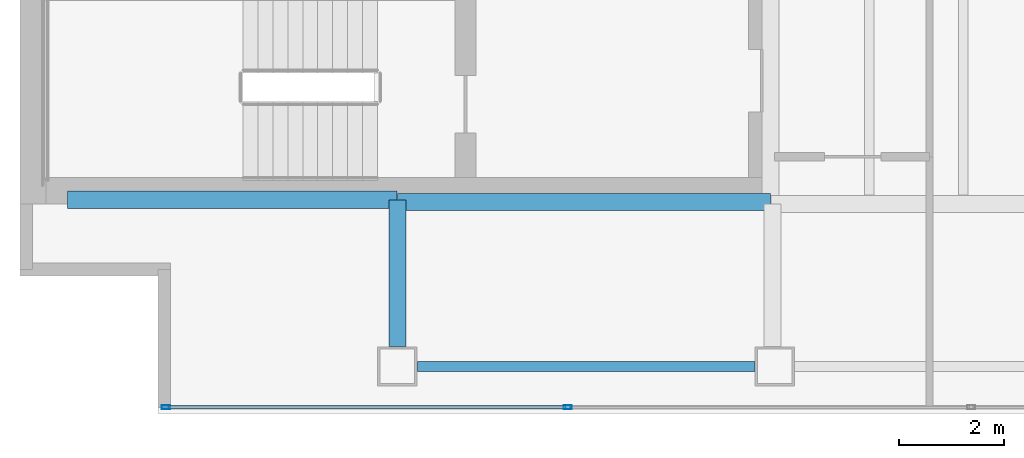
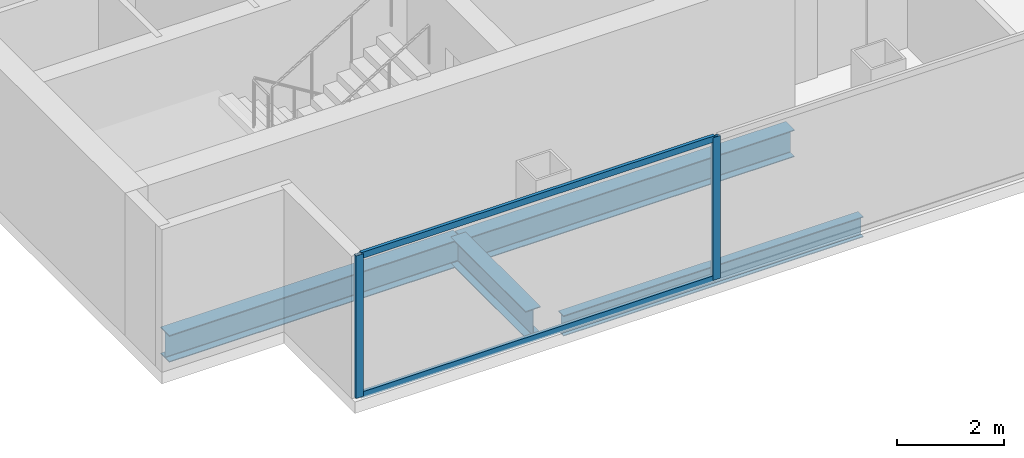
# One storey, part 2 of 23: 4 beams, 4 members, 1 element without a shape of its own.
"""IFC4 building model written with IfcOpenShell, lengths in metres."""

from ifc_helpers import new_model, si_unit, direction, frame, origin, origin_2d, place, context, subcontext, project, spatial, hollow_rectangle, i_section, extrude, material, material_profile, profile_set, type_object, element, aggregate, save


model = new_model("IFC4")

# Units and contexts
model_context = context("Model", 3, precision=1e-05, world=origin(), true_north=direction((0.0, 1.0)))
body_context = subcontext(model_context, "Body", "Model", "MODEL_VIEW")
ifc_project = project(units=[si_unit("LENGTHUNIT", "METRE"), si_unit("AREAUNIT", "SQUARE_METRE"), si_unit("VOLUMEUNIT", "CUBIC_METRE"), si_unit("PLANEANGLEUNIT", "RADIAN"), si_unit("MASSUNIT", "GRAM", prefix="KILO")], contexts=[model_context])

# Site, building, storey
site_placement = place(None, origin())
site = spatial("IfcSite", under=ifc_project, at=site_placement, CompositionType="ELEMENT")
building_placement = place(site_placement, origin())
building = spatial("IfcBuilding", under=site, at=building_placement, Name="Cobrela Telecom Tower", CompositionType="ELEMENT")
storey_placement = place(building_placement, frame((0.0, 0.0, 208.25)))
storey = spatial("IfcBuildingStorey", under=building, at=storey_placement, Name="L53", CompositionType="ELEMENT", Elevation=208.25)

# Beams
ifc_material_1 = material(Name="Steel ASTM A992 Grade 50", Category="steel")
ifc_material_profile_1 = material_profile(ifc_material_1, i_section(OverallWidth=0.324951171875, OverallDepth=0.612060546875, WebThickness=0.0126953125, FlangeThickness=0.01904296875, FilletRadius=0.014892578125, at=origin_2d()), Name="W24X104")
ifc_profile_set_1 = profile_set([ifc_material_profile_1], Name="Steel ASTM A992 Grade 50")
beam_type_1 = type_object("IfcBeamType", Name="BM-GIRD-07", PredefinedType="USERDEFINED", material=ifc_profile_set_1)
beam_1_placement = place(storey_placement, frame((0.905029296875, 7.280029296875, -0.56591796875), z_axis=(1.0, 0.0, 0.0), x_axis=(0.0, 1.0, 0.0)))
element("IfcBeam", 1, at=beam_1_placement, inside=storey, type_object=beam_type_1, Name="L53 Primary Girder X05", ObjectType="GIRDER", PredefinedType="USERDEFINED", context=body_context, shape_type="SweptSolid", body=[
    extrude(i_section(OverallWidth=0.324951171875, OverallDepth=0.612060546875, WebThickness=0.0126953125, FlangeThickness=0.01904296875, FilletRadius=0.014892578125, at=origin_2d()), origin(), (0.0, 0.0, 1.0), 6.2900390625),
])
beam_2_placement = place(storey_placement, frame((7.205078125, 7.239990234375, -0.56591796875), z_axis=(1.0, 0.0, 0.0), x_axis=(0.0, 1.0, 0.0)))
element("IfcBeam", 2, at=beam_2_placement, inside=storey, type_object=beam_type_1, Name="L53 Primary Girder X06", ObjectType="GIRDER", PredefinedType="USERDEFINED", context=body_context, shape_type="SweptSolid", body=[
    extrude(i_section(OverallWidth=0.324951171875, OverallDepth=0.612060546875, WebThickness=0.0126953125, FlangeThickness=0.01904296875, FilletRadius=0.014892578125, at=origin_2d()), origin(), (0.0, 0.0, 1.0), 7.10986328125),
])
beam_3_placement = place(storey_placement, frame((7.199951171875, 4.47998046875, -0.56591796875), z_axis=(0.0, 1.0, 0.0), x_axis=(-1.0, 0.0, 0.0)))
element("IfcBeam", 3, at=beam_3_placement, inside=storey, type_object=beam_type_1, Name="L53 Primary Girder Y24", ObjectType="GIRDER", PredefinedType="USERDEFINED", context=body_context, shape_type="SweptSolid", body=[
    extrude(i_section(OverallWidth=0.324951171875, OverallDepth=0.612060546875, WebThickness=0.0126953125, FlangeThickness=0.01904296875, FilletRadius=0.014892578125, at=origin_2d()), origin(), (0.0, 0.0, 1.0), 2.794921875),
])
ifc_material_profile_2 = material_profile(ifc_material_1, i_section(OverallWidth=0.193115234375, OverallDepth=0.467041015625, WebThickness=0.011474609375, FlangeThickness=0.01904296875, FilletRadius=0.012939453125, at=origin_2d()), Name="W18X65")
ifc_profile_set_2 = profile_set([ifc_material_profile_2], Name="Steel ASTM A992 Grade 50")
beam_type_2 = type_object("IfcBeamType", Name="BM-SPAND-05", PredefinedType="SPANDREL", material=ifc_profile_set_2)
beam_4_placement = place(storey_placement, frame((7.580078125, 4.10009765625, -0.493408203125), z_axis=(1.0, 0.0, 0.0), x_axis=(0.0, 1.0, 0.0)))
element("IfcBeam", 4, at=beam_4_placement, inside=storey, type_object=beam_type_2, Name="L53 Perimeter Spandrel X01", PredefinedType="SPANDREL", context=body_context, shape_type="SweptSolid", body=[
    extrude(i_section(OverallWidth=0.193115234375, OverallDepth=0.467041015625, WebThickness=0.011474609375, FlangeThickness=0.01904296875, FilletRadius=0.012939453125, at=origin_2d()), origin(), (0.0, 0.0, 1.0), 6.43994140625),
])

# Curtain wall, members
ifc_material_2 = material(Name="Anodized Bronze Aluminium 6063-T6", Category="aluminium")
curtain_wall_type = type_object("IfcCurtainWallType", Name="CW-SYS-OFF-LO", PredefinedType="USERDEFINED", material=ifc_material_2)
curtain_wall_placement = place(storey_placement, origin())
curtain_wall = element("IfcCurtainWall", 5, at=curtain_wall_placement, inside=storey, type_object=curtain_wall_type, Name="L53 Unitised Bronze Curtain Wall 17", ObjectType="UNITISED CURTAIN WALL", PredefinedType="USERDEFINED")
ifc_material_profile_3 = material_profile(ifc_material_2, hollow_rectangle(XDim=0.070068359375, YDim=0.159912109375, WallThickness=0.00390625, at=origin_2d()), Name="ALU 70x160x4")
ifc_profile_set_3 = profile_set([ifc_material_profile_3], Name="Anodized Bronze Aluminium 6063-T6")
member_type_1 = type_object("IfcMemberType", Name="CW-SYS-OFF-LO-MUL", PredefinedType="MULLION", material=ifc_profile_set_3)
member_1_placement = place(storey_placement, frame((10.449951171875, 3.320068359375, 0.0), z_axis=(0.0, 0.0, 1.0), x_axis=(0.0, -1.0, 0.0)))
member_1 = element("IfcMember", 6, at=member_1_placement, type_object=member_type_1, Name="CW-OFF-LO mullion 5", PredefinedType="MULLION", context=body_context, shape_type="SweptSolid", body=[
    extrude(hollow_rectangle(XDim=0.070068359375, YDim=0.159912109375, WallThickness=0.00390625, at=origin_2d()), origin(), (0.0, 0.0, 1.0), 3.239990234375),
])
member_2_placement = place(storey_placement, frame((2.784912109375, 3.320068359375, 0.0), z_axis=(0.0, 0.0, 1.0), x_axis=(0.0, -1.0, 0.0)))
member_2 = element("IfcMember", 7, at=member_2_placement, type_object=member_type_1, Name="CW-OFF-LO mullion 6", PredefinedType="MULLION", context=body_context, shape_type="SweptSolid", body=[
    extrude(hollow_rectangle(XDim=0.070068359375, YDim=0.159912109375, WallThickness=0.00390625, at=origin_2d()), origin(), (0.0, 0.0, 1.0), 3.239990234375),
])
ifc_material_profile_4 = material_profile(ifc_material_2, hollow_rectangle(XDim=0.070068359375, YDim=0.139892578125, WallThickness=0.00390625, at=origin_2d()), Name="ALU 70x140x4")
ifc_profile_set_4 = profile_set([ifc_material_profile_4], Name="Anodized Bronze Aluminium 6063-T6")
member_type_2 = type_object("IfcMemberType", Name="CW-SYS-OFF-LO-TRN", PredefinedType="USERDEFINED", material=ifc_profile_set_4)
member_3_placement = place(storey_placement, frame((10.4150390625, 3.320068359375, 0.034912109375), z_axis=(-1.0, 0.0, 0.0), x_axis=(0.0, -1.0, 0.0)))
member_3 = element("IfcMember", 8, at=member_3_placement, type_object=member_type_2, Name="CW-OFF-LO transom 5.1", ObjectType="TRANSOM", PredefinedType="USERDEFINED", context=body_context, shape_type="SweptSolid", body=[
    extrude(hollow_rectangle(XDim=0.070068359375, YDim=0.139892578125, WallThickness=0.00390625, at=origin_2d()), origin(), (0.0, 0.0, 1.0), 7.594970703125),
])
member_4_placement = place(storey_placement, frame((10.4150390625, 3.320068359375, 3.205078125), z_axis=(-1.0, 0.0, 0.0), x_axis=(0.0, -1.0, 0.0)))
member_4 = element("IfcMember", 9, at=member_4_placement, type_object=member_type_2, Name="CW-OFF-LO transom 5.2", ObjectType="TRANSOM", PredefinedType="USERDEFINED", context=body_context, shape_type="SweptSolid", body=[
    extrude(hollow_rectangle(XDim=0.070068359375, YDim=0.139892578125, WallThickness=0.00390625, at=origin_2d()), origin(), (0.0, 0.0, 1.0), 7.594970703125),
])
aggregate(curtain_wall, [member_1, member_2, member_3, member_4])

save(model, "model.ifc")
